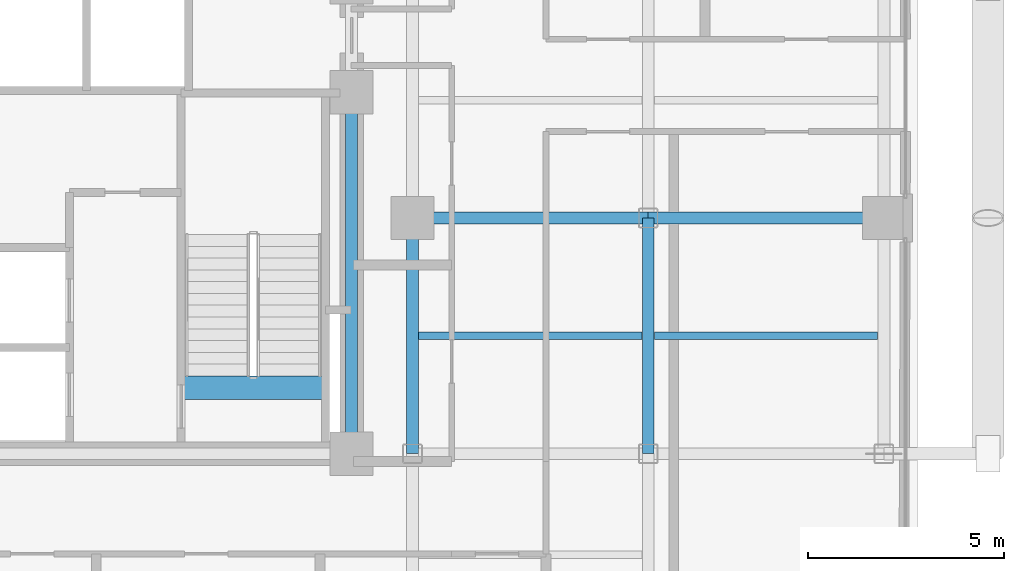
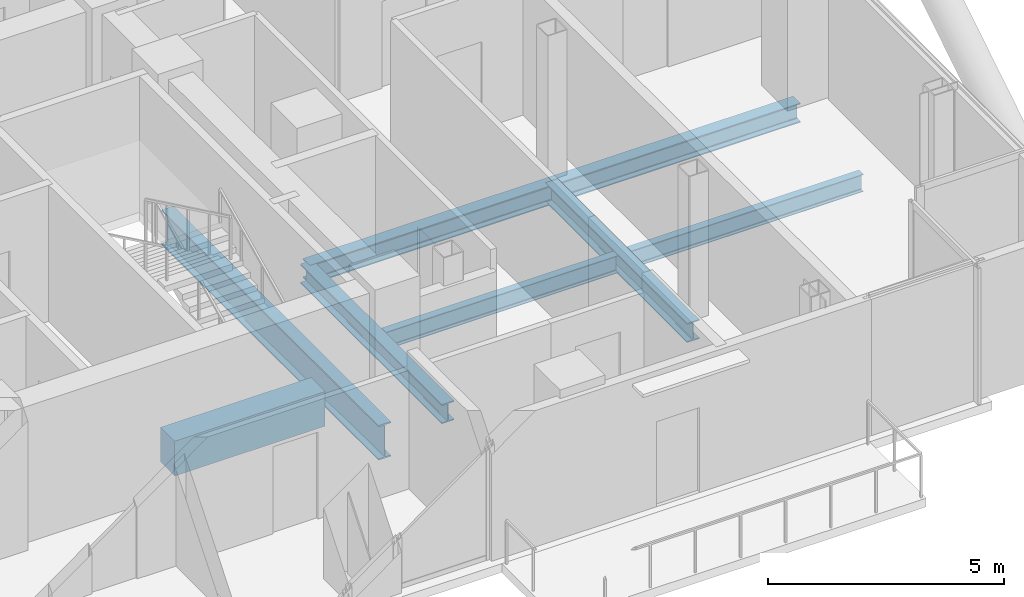
# One storey, part 11 of 28: 8 beams.
"""IFC4 building model written with IfcOpenShell, lengths in metres."""

from ifc_helpers import new_model, si_unit, direction, frame, origin, origin_2d, place, context, subcontext, project, spatial, rectangle, i_section, extrude, material, material_profile, profile_set, type_object, element, save


model = new_model("IFC4")

# Units and contexts
model_context = context("Model", 3, precision=1e-05, world=origin(), true_north=direction((0.0, 1.0)))
body_context = subcontext(model_context, "Body", "Model", "MODEL_VIEW")
ifc_project = project(units=[si_unit("LENGTHUNIT", "METRE"), si_unit("AREAUNIT", "SQUARE_METRE"), si_unit("VOLUMEUNIT", "CUBIC_METRE"), si_unit("PLANEANGLEUNIT", "RADIAN"), si_unit("MASSUNIT", "GRAM", prefix="KILO"), si_unit("THERMODYNAMICTEMPERATUREUNIT", "KELVIN"), si_unit("POWERUNIT", "WATT")], contexts=[model_context])

# Site, building, storey
site_placement = place(None, origin())
site = spatial("IfcSite", under=ifc_project, at=site_placement, CompositionType="ELEMENT")
building_placement = place(site_placement, origin())
building = spatial("IfcBuilding", under=site, at=building_placement, Name="Svarakhadi Broadcast Tower", CompositionType="ELEMENT")
storey_placement = place(building_placement, frame((0.0, 0.0, 134.39990234375)))
storey = spatial("IfcBuildingStorey", under=building, at=storey_placement, Name="L32", CompositionType="ELEMENT", Elevation=134.39990234375)

# Beams
ifc_material_1 = material(Name="Steel S355J2 (IS 2062 E350C)", Category="steel")
ifc_material_profile_1 = material_profile(ifc_material_1, i_section(OverallWidth=0.18994140625, OverallDepth=0.449951171875, WebThickness=0.009521484375, FlangeThickness=0.0146484375, FilletRadius=0.02099609375, at=origin_2d()), Name="NPB 450x190x78")
ifc_profile_set_1 = profile_set([ifc_material_profile_1], Name="Steel S355J2 (IS 2062 E350C)")
beam_type_1 = type_object("IfcBeamType", Name="Beam_NPB450", PredefinedType="BEAM", material=ifc_profile_set_1)
for number, where, z_axis, x_axis, name in (
    (1, (35.31005859375, 9.0, -0.449951171875), (1.0, 0.0, 0.0), (0.0, 1.0, 0.0), "L32 Secondary Composite Beam SB020"),
    (2, (41.31005859375, 9.0, -0.449951171875), (1.0, 0.0, 0.0), (0.0, 1.0, 0.0), "L32 Secondary Composite Beam SB022"),
):
    element("IfcBeam", number, at=place(storey_placement, frame(where, z_axis=z_axis, x_axis=x_axis)), inside=storey, type_object=beam_type_1, Name=name, PredefinedType="BEAM", context=body_context, shape_type="SweptSolid", body=[
        extrude(i_section(OverallWidth=0.18994140625, OverallDepth=0.449951171875, WebThickness=0.009521484375, FlangeThickness=0.0146484375, FilletRadius=0.02099609375, at=origin_2d()), origin(), (0.0, 0.0, 1.0), 5.679931640625),
    ])
ifc_material_2 = material(Name="Concrete C50/60 (IS 456 M60)", Category="concrete")
ifc_material_profile_2 = material_profile(ifc_material_2, rectangle(XDim=0.60009765625, YDim=0.89990234375, at=origin_2d()), Name="RC 600x900")
ifc_profile_set_2 = profile_set([ifc_material_profile_2], Name="Concrete C50/60 (IS 456 M60)")
beam_type_2 = type_object("IfcBeamType", Name="Coupling_RC600", PredefinedType="USERDEFINED", material=ifc_profile_set_2)
beam_1_placement = place(storey_placement, frame((29.260009765625, 7.679931640625, -0.449951171875), z_axis=(1.0, 0.0, 0.0), x_axis=(0.0, 1.0, 0.0)))
element("IfcBeam", 3, at=beam_1_placement, inside=storey, type_object=beam_type_2, Name="L32 Stair ST-02 Landing Throat Trimmer Beam CB-01", ObjectType="GIRDER", PredefinedType="USERDEFINED", context=body_context, shape_type="SweptSolid", body=[
    extrude(rectangle(XDim=0.60009765625, YDim=0.89990234375, at=origin_2d()), origin(), (0.0, 0.0, 1.0), 3.679931640625),
])
ifc_material_profile_3 = material_profile(ifc_material_1, i_section(OverallWidth=0.300048828125, OverallDepth=0.5, WebThickness=0.014404296875, FlangeThickness=0.028076171875, FilletRadius=0.027099609375, at=origin_2d()), Name="WPB 500x300x187")
ifc_profile_set_3 = profile_set([ifc_material_profile_3], Name="Steel S355J2 (IS 2062 E350C)")
beam_type_3 = type_object("IfcBeamType", Name="Girder_WPB500", PredefinedType="USERDEFINED", material=ifc_profile_set_3)
for number, where, z_axis, x_axis, name in (
    (4, (35.14990234375, 12.0, -0.474853515625), (1.0, 0.0, 0.0), (0.0, 1.0, 0.0), "L32 Primary E-W Girder G021"),
    (5, (41.14990234375, 12.0, -0.474853515625), (1.0, 0.0, 0.0), (0.0, 1.0, 0.0), "L32 Primary E-W Girder G022"),
    (6, (35.14990234375, 6.0, -0.474853515625), (0.0, 1.0, 0.0), (-1.0, 0.0, 0.0), "L32 Primary N-S Girder G068"),
    (7, (41.14990234375, 6.0, -0.474853515625), (0.0, 1.0, 0.0), (-1.0, 0.0, 0.0), "L32 Primary N-S Girder G071"),
):
    element("IfcBeam", number, at=place(storey_placement, frame(where, z_axis=z_axis, x_axis=x_axis)), inside=storey, type_object=beam_type_3, Name=name, ObjectType="GIRDER", PredefinedType="USERDEFINED", context=body_context, shape_type="SweptSolid", body=[
        extrude(i_section(OverallWidth=0.300048828125, OverallDepth=0.5, WebThickness=0.014404296875, FlangeThickness=0.028076171875, FilletRadius=0.027099609375, at=origin_2d()), origin(), (0.0, 0.0, 1.0), 6.0),
    ])
ifc_material_3 = material(Name="Steel S460ML (IS 2062 E450BR)", Category="steel")
ifc_material_profile_4 = material_profile(ifc_material_3, i_section(OverallWidth=0.300048828125, OverallDepth=0.89990234375, WebThickness=0.0185546875, FlangeThickness=0.034912109375, FilletRadius=0.030029296875, at=origin_2d()), Name="WPB 900x300x291")
ifc_profile_set_4 = profile_set([ifc_material_profile_4], Name="Steel S460ML (IS 2062 E450BR)")
beam_type_4 = type_object("IfcBeamType", Name="Girder_WPB900", PredefinedType="USERDEFINED", material=ifc_profile_set_4)
beam_2_placement = place(storey_placement, frame((33.60009765625, 6.0, -0.6748046875), z_axis=(0.0, 1.0, 0.0), x_axis=(-1.0, 0.0, 0.0)))
element("IfcBeam", 8, at=beam_2_placement, inside=storey, type_object=beam_type_4, Name="L32 Primary N-S Girder G065", ObjectType="GIRDER", PredefinedType="USERDEFINED", context=body_context, shape_type="SweptSolid", body=[
    extrude(i_section(OverallWidth=0.300048828125, OverallDepth=0.89990234375, WebThickness=0.0185546875, FlangeThickness=0.034912109375, FilletRadius=0.030029296875, at=origin_2d()), origin(), (0.0, 0.0, 1.0), 9.199951171875),
])

save(model, "model.ifc")
